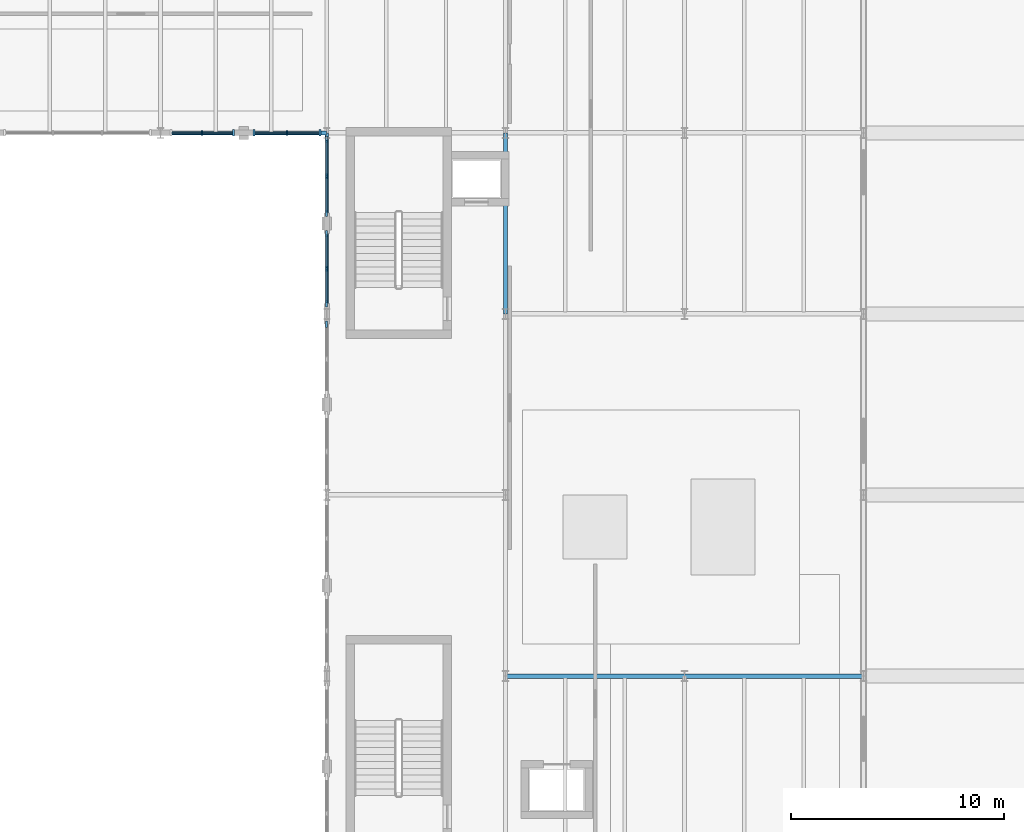
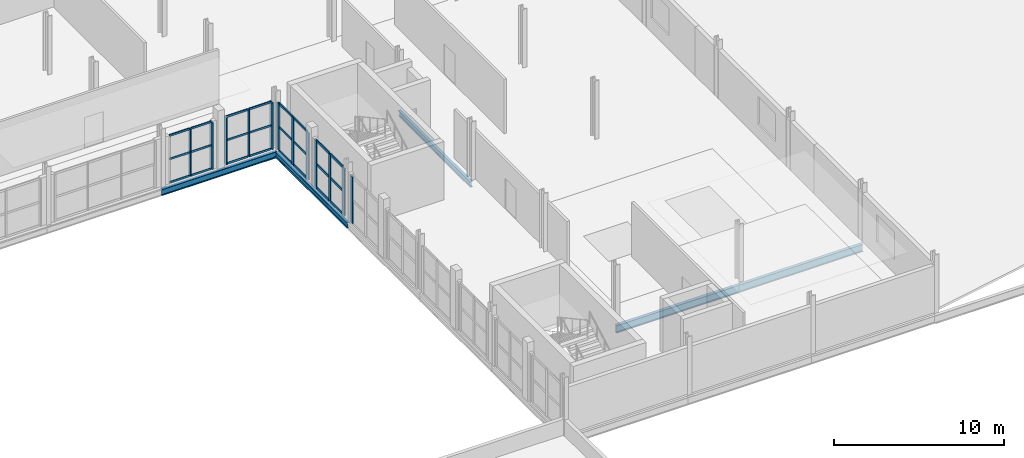
# One storey, part 26 of 58: 36 members, 5 beams, 5 elements without a shape of their own.
"""IFC4 building model written with IfcOpenShell, lengths in metres."""

from ifc_helpers import new_model, si_unit, direction, frame, origin, origin_2d, place, context, subcontext, project, spatial, rectangle, i_section, extrude, material, layer, layer_set, material_profile, profile_set, type_object, element, aggregate, save


model = new_model("IFC4")

# Units and contexts
model_context = context("Model", 3, precision=1e-05, world=origin(), true_north=direction((0.0, 1.0)))
body_context = subcontext(model_context, "Body", "Model", "MODEL_VIEW")
ifc_project = project(units=[si_unit("LENGTHUNIT", "METRE"), si_unit("AREAUNIT", "SQUARE_METRE"), si_unit("VOLUMEUNIT", "CUBIC_METRE"), si_unit("PLANEANGLEUNIT", "RADIAN"), si_unit("MASSUNIT", "GRAM", prefix="KILO")], contexts=[model_context])

# Site, building, storey
site_placement = place(None, origin())
site = spatial("IfcSite", under=ifc_project, at=site_placement, CompositionType="ELEMENT")
building_placement = place(site_placement, origin())
building = spatial("IfcBuilding", under=site, at=building_placement, Name="Sefraquen Railside Congress Hotel", CompositionType="ELEMENT")
storey_placement = place(building_placement, frame((0.0, 0.0, 16.199951171875)))
storey = spatial("IfcBuildingStorey", under=building, at=storey_placement, Name="L03", CompositionType="ELEMENT", Elevation=16.199951171875)

# Beams
ifc_material_1 = material(Name="Steel S355JR", Category="steel")
ifc_material_profile_1 = material_profile(ifc_material_1, i_section(OverallWidth=0.179931640625, OverallDepth=0.39990234375, WebThickness=0.008544921875, FlangeThickness=0.013427734375, FilletRadius=0.02099609375, at=origin_2d()), Name="IPE 400")
ifc_profile_set_1 = profile_set([ifc_material_profile_1], Name="Steel S355JR")
beam_type_1 = type_object("IfcBeamType", Name="TB-BM-400I", PredefinedType="BEAM", material=ifc_profile_set_1)
for number, where, z_axis, x_axis, name in (
    (1, (103.199951171875, 79.5, -0.47998046875), (0.0, 1.0, 0.0), (-1.0, 0.0, 0.0), "Floor beam BM-L03-1226"),
    (2, (111.60009765625, 79.5, -0.47998046875), (0.0, 1.0, 0.0), (-1.0, 0.0, 0.0), "Floor beam BM-L03-1234"),
):
    element("IfcBeam", number, at=place(storey_placement, frame(where, z_axis=z_axis, x_axis=x_axis)), inside=storey, type_object=beam_type_1, Name=name, PredefinedType="BEAM", context=body_context, shape_type="SweptSolid", body=[
        extrude(i_section(OverallWidth=0.179931640625, OverallDepth=0.39990234375, WebThickness=0.008544921875, FlangeThickness=0.013427734375, FilletRadius=0.02099609375, at=origin_2d()), origin(), (0.0, 0.0, 1.0), 8.5),
    ])
ifc_material_profile_2 = material_profile(ifc_material_1, i_section(OverallWidth=0.18994140625, OverallDepth=0.449951171875, WebThickness=0.009521484375, FlangeThickness=0.0146484375, FilletRadius=0.02099609375, at=origin_2d()), Name="IPE 450")
ifc_profile_set_2 = profile_set([ifc_material_profile_2], Name="Steel S355JR")
beam_type_2 = type_object("IfcBeamType", Name="TB-BM-450", PredefinedType="BEAM", material=ifc_profile_set_2)
beam_placement = place(storey_placement, frame((95.39990234375, 88.0, -0.5048828125), z_axis=(1.0, 0.0, 0.0), x_axis=(0.0, 1.0, 0.0)))
element("IfcBeam", 3, at=beam_placement, inside=storey, type_object=beam_type_2, Name="Primary girder BM-L03-1066", PredefinedType="BEAM", context=body_context, shape_type="SweptSolid", body=[
    extrude(i_section(OverallWidth=0.18994140625, OverallDepth=0.449951171875, WebThickness=0.009521484375, FlangeThickness=0.0146484375, FilletRadius=0.02099609375, at=origin_2d()), origin(), (0.0, 0.0, 1.0), 7.800048828125),
])
ifc_material_profile_3 = material_profile(ifc_material_1, i_section(OverallWidth=0.2099609375, OverallDepth=0.550048828125, WebThickness=0.010986328125, FlangeThickness=0.01708984375, FilletRadius=0.02392578125, at=origin_2d()), Name="IPE 550")
ifc_profile_set_3 = profile_set([ifc_material_profile_3], Name="Steel S355JR")
beam_type_3 = type_object("IfcBeamType", Name="TB-GIR-550", PredefinedType="T_BEAM", material=ifc_profile_set_3)
for number, where, z_axis, x_axis, name in (
    (4, (111.60009765625, 62.5, -0.554931640625), (1.0, 0.0, 0.0), (0.0, 1.0, 0.0), "Primary girder BM-L03-1034"),
    (5, (120.0, 62.5, -0.554931640625), (1.0, 0.0, 0.0), (0.0, 1.0, 0.0), "Primary girder BM-L03-1035"),
):
    element("IfcBeam", number, at=place(storey_placement, frame(where, z_axis=z_axis, x_axis=x_axis)), inside=storey, type_object=beam_type_3, Name=name, PredefinedType="T_BEAM", context=body_context, shape_type="SweptSolid", body=[
        extrude(i_section(OverallWidth=0.2099609375, OverallDepth=0.550048828125, WebThickness=0.010986328125, FlangeThickness=0.01708984375, FilletRadius=0.02392578125, at=origin_2d()), origin(), (0.0, 0.0, 1.0), 8.39990234375),
    ])

# Curtain wall, member
ifc_material_2 = material(Name="Thermally broken anodised aluminium and low-E double glazing", Category="aluminium")
ifc_layer_1 = layer(ifc_material_2, 0.199951171875)
ifc_layer_set_1 = layer_set([ifc_layer_1], Name="Thermally broken anodised aluminium and low-E double glazing")
curtain_wall_type_1 = type_object("IfcCurtainWallType", Name="TCW-UCW-02", PredefinedType="USERDEFINED", material=ifc_layer_set_1)
curtain_wall_1_placement = place(storey_placement, origin())
curtain_wall_1 = element("IfcCurtainWall", 6, at=curtain_wall_1_placement, inside=storey, type_object=curtain_wall_type_1, Name="Meeting Wing L03 courtyard north curtain wall 3 bay 3", ObjectType="UNITISED CURTAIN WALL", PredefinedType="USERDEFINED")
ifc_material_3 = material(Name="Thermally broken anodised aluminium 6063-T6", Category="aluminium")
ifc_material_profile_4 = material_profile(ifc_material_3, rectangle(XDim=0.070068359375, YDim=0.199951171875, at=origin_2d()), Name="CWM 70x200")
ifc_profile_set_4 = profile_set([ifc_material_profile_4], Name="Thermally broken anodised aluminium 6063-T6")
member_type_1 = type_object("IfcMemberType", Name="TM-CWM-03", PredefinedType="MULLION", material=ifc_profile_set_4)
member_1_placement = place(storey_placement, frame((97.35009765625, 88.0, 0.0), z_axis=(0.0, 0.0, 1.0), x_axis=(1.0, 0.0, 0.0)))
member_1 = element("IfcMember", 7, at=member_1_placement, type_object=member_type_1, Name="CW-L03-066-S3 mullion 2", PredefinedType="MULLION", context=body_context, shape_type="SweptSolid", body=[
    extrude(rectangle(XDim=0.070068359375, YDim=0.199951171875, at=origin_2d()), origin(), (0.0, 0.0, 1.0), 3.3701171875),
])

curtain_wall_2_placement = place(storey_placement, origin())
curtain_wall_2 = element("IfcCurtainWall", 8, at=curtain_wall_2_placement, inside=storey, type_object=curtain_wall_type_1, Name="Meeting Wing L03 courtyard north curtain wall 3 bay 4", ObjectType="UNITISED CURTAIN WALL", PredefinedType="USERDEFINED")
member_2_placement = place(storey_placement, frame((101.3349609375, 88.0, 0.0), z_axis=(0.0, 0.0, 1.0), x_axis=(1.0, 0.0, 0.0)))
member_2 = element("IfcMember", 9, at=member_2_placement, type_object=member_type_1, Name="CW-L03-066-S4 mullion 2", PredefinedType="MULLION", context=body_context, shape_type="SweptSolid", body=[
    extrude(rectangle(XDim=0.070068359375, YDim=0.199951171875, at=origin_2d()), origin(), (0.0, 0.0, 1.0), 3.3701171875),
])

ifc_layer_2 = layer(ifc_material_2, 0.199951171875)
ifc_layer_set_2 = layer_set([ifc_layer_2], Name="Thermally broken anodised aluminium and low-E double glazing")
curtain_wall_type_2 = type_object("IfcCurtainWallType", Name="TCW-UCW-04", PredefinedType="USERDEFINED", material=ifc_layer_set_2)
curtain_wall_3_placement = place(storey_placement, origin())
curtain_wall_3 = element("IfcCurtainWall", 10, at=curtain_wall_3_placement, inside=storey, type_object=curtain_wall_type_2, Name="Meeting Wing L03 courtyard east curtain wall bay 3", ObjectType="UNITISED CURTAIN WALL", PredefinedType="USERDEFINED")
ifc_material_profile_5 = material_profile(ifc_material_3, rectangle(XDim=0.080078125, YDim=0.239990234375, at=origin_2d()), Name="CWM 80x240")
ifc_profile_set_5 = profile_set([ifc_material_profile_5], Name="Thermally broken anodised aluminium 6063-T6")
member_type_2 = type_object("IfcMemberType", Name="TM-CWM-05", PredefinedType="MULLION", material=ifc_profile_set_5)
member_3_placement = place(storey_placement, frame((103.199951171875, 81.625, 0.0), z_axis=(0.0, 0.0, 1.0), x_axis=(1.0, 0.0, 0.0)))
member_3 = element("IfcMember", 11, at=member_3_placement, type_object=member_type_2, Name="CW-L03-068-S3 mullion 2", PredefinedType="MULLION", context=body_context, shape_type="SweptSolid", body=[
    extrude(rectangle(XDim=0.080078125, YDim=0.239990234375, at=origin_2d()), origin(), (0.0, 0.0, 1.0), 3.3701171875),
])

curtain_wall_4_placement = place(storey_placement, origin())
curtain_wall_4 = element("IfcCurtainWall", 12, at=curtain_wall_4_placement, inside=storey, type_object=curtain_wall_type_2, Name="Meeting Wing L03 courtyard east curtain wall bay 4", ObjectType="UNITISED CURTAIN WALL", PredefinedType="USERDEFINED")
member_4_placement = place(storey_placement, frame((103.199951171875, 85.9599609375, 0.0), z_axis=(0.0, 0.0, 1.0), x_axis=(1.0, 0.0, 0.0)))
member_4 = element("IfcMember", 13, at=member_4_placement, type_object=member_type_2, Name="CW-L03-068-S4 mullion 2", PredefinedType="MULLION", context=body_context, shape_type="SweptSolid", body=[
    extrude(rectangle(XDim=0.080078125, YDim=0.239990234375, at=origin_2d()), origin(), (0.0, 0.0, 1.0), 3.3701171875),
])

# Member
ifc_material_profile_6 = material_profile(ifc_material_3, rectangle(XDim=0.094970703125, YDim=0.300048828125, at=origin_2d()), Name="CWM 95x300")
ifc_profile_set_6 = profile_set([ifc_material_profile_6], Name="Thermally broken anodised aluminium 6063-T6")
member_type_3 = type_object("IfcMemberType", Name="TM-CWM-08", PredefinedType="MULLION", material=ifc_profile_set_6)
member_5_placement = place(storey_placement, frame((98.820068359375, 88.0, 0.0), z_axis=(0.0, 0.0, 1.0), x_axis=(1.0, 0.0, 0.0)))
member_5 = element("IfcMember", 14, at=member_5_placement, type_object=member_type_3, Name="CW-L03-066-S3 mullion 3", PredefinedType="MULLION", context=body_context, shape_type="SweptSolid", body=[
    extrude(rectangle(XDim=0.094970703125, YDim=0.300048828125, at=origin_2d()), origin(), (0.0, 0.0, 1.0), 3.3701171875),
])

member_6_placement = place(storey_placement, frame((99.780029296875, 88.0, 0.0), z_axis=(0.0, 0.0, 1.0), x_axis=(1.0, 0.0, 0.0)))
member_6 = element("IfcMember", 15, at=member_6_placement, type_object=member_type_3, Name="CW-L03-066-S4 mullion 1", PredefinedType="MULLION", context=body_context, shape_type="SweptSolid", body=[
    extrude(rectangle(XDim=0.094970703125, YDim=0.300048828125, at=origin_2d()), origin(), (0.0, 0.0, 1.0), 3.3701171875),
])

member_7_placement = place(storey_placement, frame((102.889892578125, 88.0, 0.0), z_axis=(0.0, 0.0, 1.0), x_axis=(1.0, 0.0, 0.0)))
member_7 = element("IfcMember", 16, at=member_7_placement, type_object=member_type_3, Name="CW-L03-066-S4 mullion 3", PredefinedType="MULLION", context=body_context, shape_type="SweptSolid", body=[
    extrude(rectangle(XDim=0.094970703125, YDim=0.300048828125, at=origin_2d()), origin(), (0.0, 0.0, 1.0), 3.3701171875),
])

# Curtain wall, member
curtain_wall_5_placement = place(storey_placement, origin())
curtain_wall_5 = element("IfcCurtainWall", 17, at=curtain_wall_5_placement, inside=storey, type_object=curtain_wall_type_2, Name="Meeting Wing L03 courtyard east curtain wall bay 2", ObjectType="UNITISED CURTAIN WALL", PredefinedType="USERDEFINED")
member_8_placement = place(storey_placement, frame((103.199951171875, 79.02001953125, 0.0), z_axis=(0.0, 0.0, 1.0), x_axis=(1.0, 0.0, 0.0)))
member_8 = element("IfcMember", 18, at=member_8_placement, type_object=member_type_3, Name="CW-L03-068-S2 mullion 3", PredefinedType="MULLION", context=body_context, shape_type="SweptSolid", body=[
    extrude(rectangle(XDim=0.094970703125, YDim=0.300048828125, at=origin_2d()), origin(), (0.0, 0.0, 1.0), 3.3701171875),
])
aggregate(curtain_wall_5, [member_8])

# Member
member_9_placement = place(storey_placement, frame((103.199951171875, 79.97998046875, 0.0), z_axis=(0.0, 0.0, 1.0), x_axis=(1.0, 0.0, 0.0)))
member_9 = element("IfcMember", 19, at=member_9_placement, type_object=member_type_3, Name="CW-L03-068-S3 mullion 1", PredefinedType="MULLION", context=body_context, shape_type="SweptSolid", body=[
    extrude(rectangle(XDim=0.094970703125, YDim=0.300048828125, at=origin_2d()), origin(), (0.0, 0.0, 1.0), 3.3701171875),
])

member_10_placement = place(storey_placement, frame((103.199951171875, 83.27001953125, 0.0), z_axis=(0.0, 0.0, 1.0), x_axis=(1.0, 0.0, 0.0)))
member_10 = element("IfcMember", 20, at=member_10_placement, type_object=member_type_3, Name="CW-L03-068-S3 mullion 3", PredefinedType="MULLION", context=body_context, shape_type="SweptSolid", body=[
    extrude(rectangle(XDim=0.094970703125, YDim=0.300048828125, at=origin_2d()), origin(), (0.0, 0.0, 1.0), 3.3701171875),
])

member_11_placement = place(storey_placement, frame((103.199951171875, 84.22998046875, 0.0), z_axis=(0.0, 0.0, 1.0), x_axis=(1.0, 0.0, 0.0)))
member_11 = element("IfcMember", 21, at=member_11_placement, type_object=member_type_3, Name="CW-L03-068-S4 mullion 1", PredefinedType="MULLION", context=body_context, shape_type="SweptSolid", body=[
    extrude(rectangle(XDim=0.094970703125, YDim=0.300048828125, at=origin_2d()), origin(), (0.0, 0.0, 1.0), 3.3701171875),
])

member_12_placement = place(storey_placement, frame((103.199951171875, 87.68994140625, 0.0), z_axis=(0.0, 0.0, 1.0), x_axis=(1.0, 0.0, 0.0)))
member_12 = element("IfcMember", 22, at=member_12_placement, type_object=member_type_3, Name="CW-L03-068-S4 mullion 3", PredefinedType="MULLION", context=body_context, shape_type="SweptSolid", body=[
    extrude(rectangle(XDim=0.094970703125, YDim=0.300048828125, at=origin_2d()), origin(), (0.0, 0.0, 1.0), 3.3701171875),
])

ifc_material_profile_7 = material_profile(ifc_material_3, rectangle(XDim=0.06494140625, YDim=0.135009765625, at=origin_2d()), Name="CWT 65x135")
ifc_profile_set_7 = profile_set([ifc_material_profile_7], Name="Thermally broken anodised aluminium 6063-T6")
member_type_4 = type_object("IfcMemberType", Name="TM-CWT-02", PredefinedType="USERDEFINED", material=ifc_profile_set_7)
member_13_placement = place(storey_placement, frame((95.925048828125, 88.0, 0.0), z_axis=(1.0, 0.0, 0.0), x_axis=(0.0, 1.0, 0.0)))
member_13 = element("IfcMember", 23, at=member_13_placement, type_object=member_type_4, Name="CW-L03-066-S3 transom 1.1", ObjectType="TRANSOM", PredefinedType="USERDEFINED", context=body_context, shape_type="SweptSolid", body=[
    extrude(rectangle(XDim=0.06494140625, YDim=0.135009765625, at=origin_2d()), origin(), (0.0, 0.0, 1.0), 1.3798828125),
])

member_14_placement = place(storey_placement, frame((97.39501953125, 88.0, 0.0), z_axis=(1.0, 0.0, 0.0), x_axis=(0.0, 1.0, 0.0)))
member_14 = element("IfcMember", 24, at=member_14_placement, type_object=member_type_4, Name="CW-L03-066-S3 transom 1.2", ObjectType="TRANSOM", PredefinedType="USERDEFINED", context=body_context, shape_type="SweptSolid", body=[
    extrude(rectangle(XDim=0.06494140625, YDim=0.135009765625, at=origin_2d()), origin(), (0.0, 0.0, 1.0), 1.3798828125),
])

member_15_placement = place(storey_placement, frame((95.925048828125, 88.0, 1.68505859375), z_axis=(1.0, 0.0, 0.0), x_axis=(0.0, 1.0, 0.0)))
member_15 = element("IfcMember", 25, at=member_15_placement, type_object=member_type_4, Name="CW-L03-066-S3 transom 2.1", ObjectType="TRANSOM", PredefinedType="USERDEFINED", context=body_context, shape_type="SweptSolid", body=[
    extrude(rectangle(XDim=0.06494140625, YDim=0.135009765625, at=origin_2d()), origin(), (0.0, 0.0, 1.0), 1.3798828125),
])

member_16_placement = place(storey_placement, frame((97.39501953125, 88.0, 1.68505859375), z_axis=(1.0, 0.0, 0.0), x_axis=(0.0, 1.0, 0.0)))
member_16 = element("IfcMember", 26, at=member_16_placement, type_object=member_type_4, Name="CW-L03-066-S3 transom 2.2", ObjectType="TRANSOM", PredefinedType="USERDEFINED", context=body_context, shape_type="SweptSolid", body=[
    extrude(rectangle(XDim=0.06494140625, YDim=0.135009765625, at=origin_2d()), origin(), (0.0, 0.0, 1.0), 1.3798828125),
])

member_17_placement = place(storey_placement, frame((95.925048828125, 88.0, 3.3701171875), z_axis=(1.0, 0.0, 0.0), x_axis=(0.0, 1.0, 0.0)))
member_17 = element("IfcMember", 27, at=member_17_placement, type_object=member_type_4, Name="CW-L03-066-S3 transom 3.1", ObjectType="TRANSOM", PredefinedType="USERDEFINED", context=body_context, shape_type="SweptSolid", body=[
    extrude(rectangle(XDim=0.06494140625, YDim=0.135009765625, at=origin_2d()), origin(), (0.0, 0.0, 1.0), 1.3798828125),
])

member_18_placement = place(storey_placement, frame((97.39501953125, 88.0, 3.3701171875), z_axis=(1.0, 0.0, 0.0), x_axis=(0.0, 1.0, 0.0)))
member_18 = element("IfcMember", 28, at=member_18_placement, type_object=member_type_4, Name="CW-L03-066-S3 transom 3.2", ObjectType="TRANSOM", PredefinedType="USERDEFINED", context=body_context, shape_type="SweptSolid", body=[
    extrude(rectangle(XDim=0.06494140625, YDim=0.135009765625, at=origin_2d()), origin(), (0.0, 0.0, 1.0), 1.3798828125),
])

aggregate(curtain_wall_1, [member_1, member_5, member_13, member_14, member_15, member_16, member_17, member_18])

member_19_placement = place(storey_placement, frame((99.824951171875, 88.0, 0.0), z_axis=(1.0, 0.0, 0.0), x_axis=(0.0, 1.0, 0.0)))
member_19 = element("IfcMember", 29, at=member_19_placement, type_object=member_type_4, Name="CW-L03-066-S4 transom 1.1", ObjectType="TRANSOM", PredefinedType="USERDEFINED", context=body_context, shape_type="SweptSolid", body=[
    extrude(rectangle(XDim=0.06494140625, YDim=0.135009765625, at=origin_2d()), origin(), (0.0, 0.0, 1.0), 1.465087890625),
])

member_20_placement = place(storey_placement, frame((101.3798828125, 88.0, 0.0), z_axis=(1.0, 0.0, 0.0), x_axis=(0.0, 1.0, 0.0)))
member_20 = element("IfcMember", 30, at=member_20_placement, type_object=member_type_4, Name="CW-L03-066-S4 transom 1.2", ObjectType="TRANSOM", PredefinedType="USERDEFINED", context=body_context, shape_type="SweptSolid", body=[
    extrude(rectangle(XDim=0.06494140625, YDim=0.135009765625, at=origin_2d()), origin(), (0.0, 0.0, 1.0), 1.465087890625),
])

member_21_placement = place(storey_placement, frame((99.824951171875, 88.0, 1.68505859375), z_axis=(1.0, 0.0, 0.0), x_axis=(0.0, 1.0, 0.0)))
member_21 = element("IfcMember", 31, at=member_21_placement, type_object=member_type_4, Name="CW-L03-066-S4 transom 2.1", ObjectType="TRANSOM", PredefinedType="USERDEFINED", context=body_context, shape_type="SweptSolid", body=[
    extrude(rectangle(XDim=0.06494140625, YDim=0.135009765625, at=origin_2d()), origin(), (0.0, 0.0, 1.0), 1.465087890625),
])

member_22_placement = place(storey_placement, frame((101.3798828125, 88.0, 1.68505859375), z_axis=(1.0, 0.0, 0.0), x_axis=(0.0, 1.0, 0.0)))
member_22 = element("IfcMember", 32, at=member_22_placement, type_object=member_type_4, Name="CW-L03-066-S4 transom 2.2", ObjectType="TRANSOM", PredefinedType="USERDEFINED", context=body_context, shape_type="SweptSolid", body=[
    extrude(rectangle(XDim=0.06494140625, YDim=0.135009765625, at=origin_2d()), origin(), (0.0, 0.0, 1.0), 1.465087890625),
])

member_23_placement = place(storey_placement, frame((99.824951171875, 88.0, 3.3701171875), z_axis=(1.0, 0.0, 0.0), x_axis=(0.0, 1.0, 0.0)))
member_23 = element("IfcMember", 33, at=member_23_placement, type_object=member_type_4, Name="CW-L03-066-S4 transom 3.1", ObjectType="TRANSOM", PredefinedType="USERDEFINED", context=body_context, shape_type="SweptSolid", body=[
    extrude(rectangle(XDim=0.06494140625, YDim=0.135009765625, at=origin_2d()), origin(), (0.0, 0.0, 1.0), 1.465087890625),
])

member_24_placement = place(storey_placement, frame((101.3798828125, 88.0, 3.3701171875), z_axis=(1.0, 0.0, 0.0), x_axis=(0.0, 1.0, 0.0)))
member_24 = element("IfcMember", 34, at=member_24_placement, type_object=member_type_4, Name="CW-L03-066-S4 transom 3.2", ObjectType="TRANSOM", PredefinedType="USERDEFINED", context=body_context, shape_type="SweptSolid", body=[
    extrude(rectangle(XDim=0.06494140625, YDim=0.135009765625, at=origin_2d()), origin(), (0.0, 0.0, 1.0), 1.465087890625),
])

aggregate(curtain_wall_2, [member_6, member_2, member_7, member_19, member_20, member_21, member_22, member_23, member_24])

ifc_material_profile_8 = material_profile(ifc_material_3, rectangle(XDim=0.074951171875, YDim=0.1650390625, at=origin_2d()), Name="CWT 75x165")
ifc_profile_set_8 = profile_set([ifc_material_profile_8], Name="Thermally broken anodised aluminium 6063-T6")
member_type_5 = type_object("IfcMemberType", Name="TM-CWT-04", PredefinedType="USERDEFINED", material=ifc_profile_set_8)
member_25_placement = place(storey_placement, frame((103.199951171875, 80.02490234375, 0.0), z_axis=(0.0, 1.0, 0.0), x_axis=(-1.0, 0.0, 0.0)))
member_25 = element("IfcMember", 35, at=member_25_placement, type_object=member_type_5, Name="CW-L03-068-S3 transom 1.1", ObjectType="TRANSOM", PredefinedType="USERDEFINED", context=body_context, shape_type="SweptSolid", body=[
    extrude(rectangle(XDim=0.074951171875, YDim=0.1650390625, at=origin_2d()), origin(), (0.0, 0.0, 1.0), 1.55517578125),
])

member_26_placement = place(storey_placement, frame((103.199951171875, 81.669921875, 0.0), z_axis=(0.0, 1.0, 0.0), x_axis=(-1.0, 0.0, 0.0)))
member_26 = element("IfcMember", 36, at=member_26_placement, type_object=member_type_5, Name="CW-L03-068-S3 transom 1.2", ObjectType="TRANSOM", PredefinedType="USERDEFINED", context=body_context, shape_type="SweptSolid", body=[
    extrude(rectangle(XDim=0.074951171875, YDim=0.1650390625, at=origin_2d()), origin(), (0.0, 0.0, 1.0), 1.55517578125),
])

member_27_placement = place(storey_placement, frame((103.199951171875, 80.02490234375, 1.68505859375), z_axis=(0.0, 1.0, 0.0), x_axis=(-1.0, 0.0, 0.0)))
member_27 = element("IfcMember", 37, at=member_27_placement, type_object=member_type_5, Name="CW-L03-068-S3 transom 2.1", ObjectType="TRANSOM", PredefinedType="USERDEFINED", context=body_context, shape_type="SweptSolid", body=[
    extrude(rectangle(XDim=0.074951171875, YDim=0.1650390625, at=origin_2d()), origin(), (0.0, 0.0, 1.0), 1.55517578125),
])

member_28_placement = place(storey_placement, frame((103.199951171875, 81.669921875, 1.68505859375), z_axis=(0.0, 1.0, 0.0), x_axis=(-1.0, 0.0, 0.0)))
member_28 = element("IfcMember", 38, at=member_28_placement, type_object=member_type_5, Name="CW-L03-068-S3 transom 2.2", ObjectType="TRANSOM", PredefinedType="USERDEFINED", context=body_context, shape_type="SweptSolid", body=[
    extrude(rectangle(XDim=0.074951171875, YDim=0.1650390625, at=origin_2d()), origin(), (0.0, 0.0, 1.0), 1.55517578125),
])

member_29_placement = place(storey_placement, frame((103.199951171875, 80.02490234375, 3.3701171875), z_axis=(0.0, 1.0, 0.0), x_axis=(-1.0, 0.0, 0.0)))
member_29 = element("IfcMember", 39, at=member_29_placement, type_object=member_type_5, Name="CW-L03-068-S3 transom 3.1", ObjectType="TRANSOM", PredefinedType="USERDEFINED", context=body_context, shape_type="SweptSolid", body=[
    extrude(rectangle(XDim=0.074951171875, YDim=0.1650390625, at=origin_2d()), origin(), (0.0, 0.0, 1.0), 1.55517578125),
])

member_30_placement = place(storey_placement, frame((103.199951171875, 81.669921875, 3.3701171875), z_axis=(0.0, 1.0, 0.0), x_axis=(-1.0, 0.0, 0.0)))
member_30 = element("IfcMember", 40, at=member_30_placement, type_object=member_type_5, Name="CW-L03-068-S3 transom 3.2", ObjectType="TRANSOM", PredefinedType="USERDEFINED", context=body_context, shape_type="SweptSolid", body=[
    extrude(rectangle(XDim=0.074951171875, YDim=0.1650390625, at=origin_2d()), origin(), (0.0, 0.0, 1.0), 1.55517578125),
])

aggregate(curtain_wall_3, [member_9, member_3, member_10, member_25, member_26, member_27, member_28, member_29, member_30])

member_31_placement = place(storey_placement, frame((103.199951171875, 84.27490234375, 0.0), z_axis=(0.0, 1.0, 0.0), x_axis=(-1.0, 0.0, 0.0)))
member_31 = element("IfcMember", 41, at=member_31_placement, type_object=member_type_5, Name="CW-L03-068-S4 transom 1.1", ObjectType="TRANSOM", PredefinedType="USERDEFINED", context=body_context, shape_type="SweptSolid", body=[
    extrude(rectangle(XDim=0.074951171875, YDim=0.1650390625, at=origin_2d()), origin(), (0.0, 0.0, 1.0), 1.64013671875),
])

member_32_placement = place(storey_placement, frame((103.199951171875, 86.0048828125, 0.0), z_axis=(0.0, 1.0, 0.0), x_axis=(-1.0, 0.0, 0.0)))
member_32 = element("IfcMember", 42, at=member_32_placement, type_object=member_type_5, Name="CW-L03-068-S4 transom 1.2", ObjectType="TRANSOM", PredefinedType="USERDEFINED", context=body_context, shape_type="SweptSolid", body=[
    extrude(rectangle(XDim=0.074951171875, YDim=0.1650390625, at=origin_2d()), origin(), (0.0, 0.0, 1.0), 1.64013671875),
])

member_33_placement = place(storey_placement, frame((103.199951171875, 84.27490234375, 1.68505859375), z_axis=(0.0, 1.0, 0.0), x_axis=(-1.0, 0.0, 0.0)))
member_33 = element("IfcMember", 43, at=member_33_placement, type_object=member_type_5, Name="CW-L03-068-S4 transom 2.1", ObjectType="TRANSOM", PredefinedType="USERDEFINED", context=body_context, shape_type="SweptSolid", body=[
    extrude(rectangle(XDim=0.074951171875, YDim=0.1650390625, at=origin_2d()), origin(), (0.0, 0.0, 1.0), 1.64013671875),
])

member_34_placement = place(storey_placement, frame((103.199951171875, 86.0048828125, 1.68505859375), z_axis=(0.0, 1.0, 0.0), x_axis=(-1.0, 0.0, 0.0)))
member_34 = element("IfcMember", 44, at=member_34_placement, type_object=member_type_5, Name="CW-L03-068-S4 transom 2.2", ObjectType="TRANSOM", PredefinedType="USERDEFINED", context=body_context, shape_type="SweptSolid", body=[
    extrude(rectangle(XDim=0.074951171875, YDim=0.1650390625, at=origin_2d()), origin(), (0.0, 0.0, 1.0), 1.64013671875),
])

member_35_placement = place(storey_placement, frame((103.199951171875, 84.27490234375, 3.3701171875), z_axis=(0.0, 1.0, 0.0), x_axis=(-1.0, 0.0, 0.0)))
member_35 = element("IfcMember", 45, at=member_35_placement, type_object=member_type_5, Name="CW-L03-068-S4 transom 3.1", ObjectType="TRANSOM", PredefinedType="USERDEFINED", context=body_context, shape_type="SweptSolid", body=[
    extrude(rectangle(XDim=0.074951171875, YDim=0.1650390625, at=origin_2d()), origin(), (0.0, 0.0, 1.0), 1.64013671875),
])

member_36_placement = place(storey_placement, frame((103.199951171875, 86.0048828125, 3.3701171875), z_axis=(0.0, 1.0, 0.0), x_axis=(-1.0, 0.0, 0.0)))
member_36 = element("IfcMember", 46, at=member_36_placement, type_object=member_type_5, Name="CW-L03-068-S4 transom 3.2", ObjectType="TRANSOM", PredefinedType="USERDEFINED", context=body_context, shape_type="SweptSolid", body=[
    extrude(rectangle(XDim=0.074951171875, YDim=0.1650390625, at=origin_2d()), origin(), (0.0, 0.0, 1.0), 1.64013671875),
])

aggregate(curtain_wall_4, [member_11, member_4, member_12, member_31, member_32, member_33, member_34, member_35, member_36])

save(model, "model.ifc")
